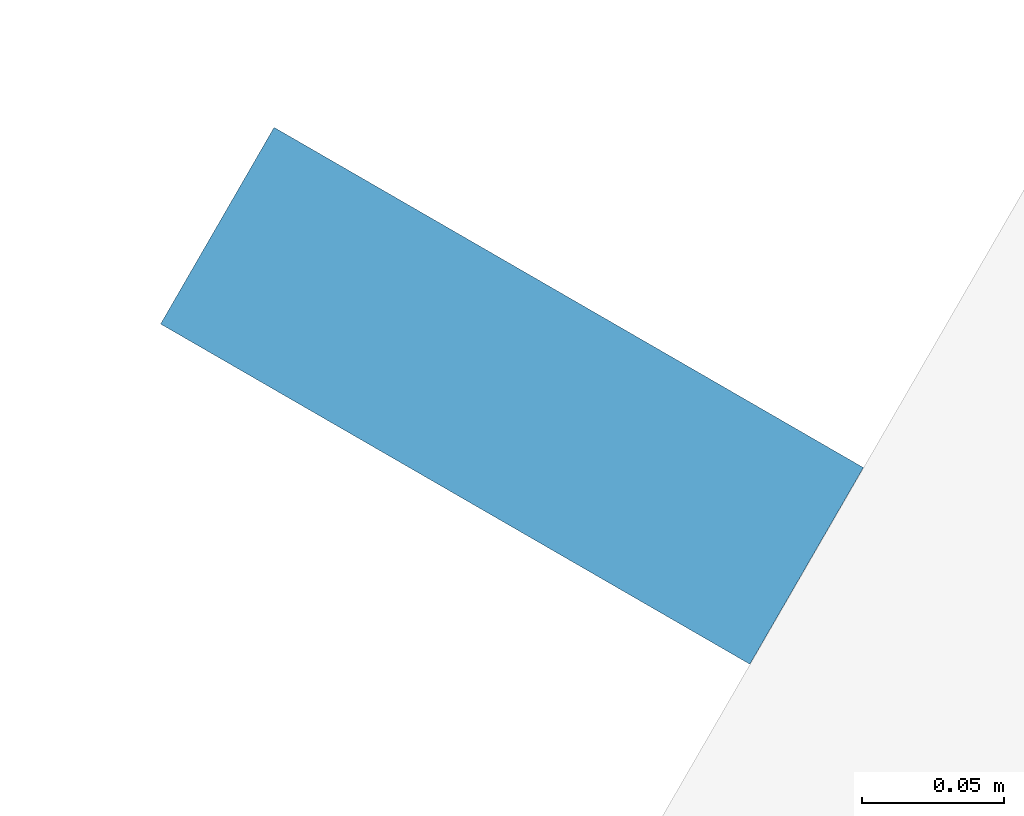
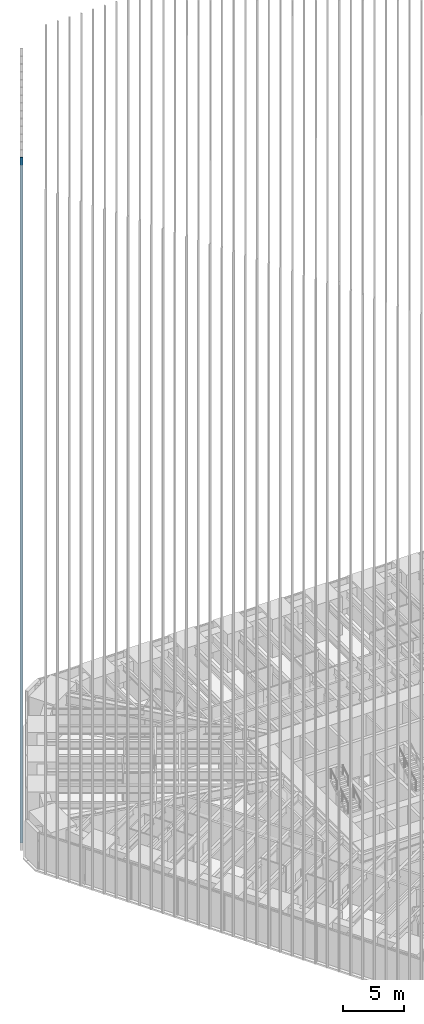
# One storey, part 137 of 256: 1 member, 1 element without a shape of its own.
"""IFC4 building model written with IfcOpenShell, lengths in metres."""

import ifcopenshell
import ifcopenshell.guid

model = None  # the IFC model being written
_history = None  # IfcOwnerHistory: only IFC2X3 demands one
_inside = {}  # id of a spatial element -> (the spatial element, [elements in it])
_under = {}  # id of a project, library or spatial element -> (it, [spatial elements below it])
_declared = {}  # id of a project -> (the project, [libraries it declares])
_typed = {}  # id of a type object -> (the type object, [elements of that type])
_made_of = {}  # id of a material, layer set ... -> (it, [elements and type objects made of it])


def new_model(schema):
    """Start an empty IFC model of exactly this schema.

    Asked for "IFC4X3", IfcOpenShell would pick the latest addendum, in which some entities
    have other attributes; the version numbers below select the first issue.
    IFC2X3 requires an IfcOwnerHistory on every rooted entity: one is made here for all.
    """
    global model, _history
    if schema == "IFC4X3":
        model = ifcopenshell.file(schema_version=(4, 3, 0, 0))
    else:
        model = ifcopenshell.file(schema=schema)
    _inside.clear()
    _under.clear()
    _declared.clear()
    _typed.clear()
    _made_of.clear()
    _history = None
    if model.schema == "IFC2X3":
        org = make("IfcOrganization", Name="unknown")
        user = make(
            "IfcPersonAndOrganization",
            ThePerson=make("IfcPerson", FamilyName="unknown"),
            TheOrganization=org,
        )
        app = make(
            "IfcApplication",
            ApplicationDeveloper=org,
            Version="unknown",
            ApplicationFullName="unknown",
            ApplicationIdentifier="unknown",
        )
        _history = make(
            "IfcOwnerHistory",
            OwningUser=user,
            OwningApplication=app,
            ChangeAction="ADDED",
            CreationDate=0,
        )
    return model


def make(cls, **values):
    """One entity of the class cls with the attributes given. An attribute that is None is left unset."""
    return model.create_entity(
        cls, **{name: value for name, value in values.items() if value is not None}
    )


def rooted(cls, **values):
    """An entity with a GlobalId (a new one), such as an element, a storey or a relation."""
    return make(cls, GlobalId=ifcopenshell.guid.new(), OwnerHistory=_history, **values)


def si_unit(unit_type, name, prefix=None):
    """IfcSIUnit, for example si_unit("LENGTHUNIT", "METRE", prefix="MILLI")."""
    return make("IfcSIUnit", UnitType=unit_type, Prefix=prefix, Name=name)


def assignment(units):
    """IfcUnitAssignment: the units of a project."""
    return None if units is None else make("IfcUnitAssignment", Units=units)


def point(xyz):
    """IfcCartesianPoint."""
    return None if xyz is None else make("IfcCartesianPoint", Coordinates=xyz)


def direction(xyz):
    """IfcDirection."""
    return None if xyz is None else make("IfcDirection", DirectionRatios=xyz)


def frame(location, z_axis=None, x_axis=None):
    """IfcAxis2Placement3D, a coordinate frame: its origin and axes. An axis left out is left unset."""
    return make(
        "IfcAxis2Placement3D",
        Location=point(location),
        Axis=direction(z_axis),
        RefDirection=direction(x_axis),
    )


def frame_2d(location, x_axis=None):
    """IfcAxis2Placement2D, a coordinate frame in the plane: its origin and x axis."""
    return make(
        "IfcAxis2Placement2D", Location=point(location), RefDirection=direction(x_axis)
    )


def origin():
    """The frame at (0, 0, 0) with its axes left unset."""
    return frame((0.0, 0.0, 0.0))


def origin_2d():
    """The frame at (0, 0) in the plane with its x axis left unset."""
    return frame_2d((0.0, 0.0))


def place(relative_to, where):
    """IfcLocalPlacement: puts the frame where relative to a parent placement (None: the world)."""
    return make(
        "IfcLocalPlacement", PlacementRelTo=relative_to, RelativePlacement=where
    )


def context(
    kind, dimensions, precision=None, world=None, true_north=None, identifier=None
):
    """IfcGeometricRepresentationContext, for example the 3D "Model" context."""
    return make(
        "IfcGeometricRepresentationContext",
        ContextIdentifier=identifier,
        ContextType=kind,
        CoordinateSpaceDimension=dimensions,
        Precision=precision,
        WorldCoordinateSystem=world,
        TrueNorth=true_north,
    )


def subcontext(parent, identifier, kind, view, scale=None):
    """IfcGeometricRepresentationSubContext, for example "Body" below "Model"."""
    return make(
        "IfcGeometricRepresentationSubContext",
        ContextIdentifier=identifier,
        ContextType=kind,
        ParentContext=parent,
        TargetScale=scale,
        TargetView=view,
    )


def project(units=None, contexts=None):
    """IfcProject with its units and contexts."""
    return rooted(
        "IfcProject",
        Name="project",
        RepresentationContexts=contexts,
        UnitsInContext=assignment(units),
    )


def spatial(cls, under=None, at=None, **own):
    """A site, building, storey or space (cls), placed at a placement, below another one or the project."""
    s = rooted(cls, ObjectPlacement=at, **own)
    if under is not None:
        _under.setdefault(under.id(), (under, []))[1].append(s)
    return s


def profile(cls, at=None, kind="AREA", **sizes):
    """A parametric profile (cls). Its sizes go by their IFC names, for example OverallWidth=200.0."""
    return make(cls, ProfileType=kind, Position=at, **sizes)


def rectangle(**sizes):
    """IfcRectangleProfileDef."""
    return profile("IfcRectangleProfileDef", **sizes)


def extrude(swept, where, along, depth):
    """IfcExtrudedAreaSolid: the profile swept, set in the frame where, extruded along a direction by depth."""
    return make(
        "IfcExtrudedAreaSolid",
        SweptArea=swept,
        Position=where,
        ExtrudedDirection=direction(along),
        Depth=depth,
    )


def shape(context_of_items, identifier, shape_type, items):
    """IfcShapeRepresentation: the items that make up one representation, for example the "Body"."""
    return make(
        "IfcShapeRepresentation",
        ContextOfItems=context_of_items,
        RepresentationIdentifier=identifier,
        RepresentationType=shape_type,
        Items=items,
    )


def material(Name=None, Category=None):
    """IfcMaterial."""
    return make("IfcMaterial", Name=Name, Category=Category)


def material_profile(
    of_material, cross_section, Name=None, Category=None, Priority=None
):
    """IfcMaterialProfile: a cross section and its material."""
    return make(
        "IfcMaterialProfile",
        Name=Name,
        Material=of_material,
        Profile=cross_section,
        Priority=Priority,
        Category=Category,
    )


def profile_set(profiles, Name=None, composite=None):
    """IfcMaterialProfileSet."""
    return make(
        "IfcMaterialProfileSet",
        Name=Name,
        MaterialProfiles=profiles,
        CompositeProfile=composite,
    )


def made_of(thing, what):
    """Note that an element or type object is made of a material, layer set ...; save() writes the relation."""
    if what is not None:
        _made_of.setdefault(what.id(), (what, []))[1].append(thing)
    return thing


def type_object(cls, material=None, **own):
    """A type object (cls), such as IfcWallType, which elements share."""
    return made_of(rooted(cls, **own), material)


def element(
    cls,
    number,
    at=None,
    inside=None,
    cuts=None,
    type_object=None,
    material=None,
    context=None,
    identifier="Body",
    shape_type=None,
    held_by="IfcProductDefinitionShape",
    body=None,
    shapes=None,
    **own,
):
    """One element of the class cls, such as IfcWall. Its Tag is "e" and its number.

    at: its placement. inside: the storey or other place that contains it. cuts: it is an
    opening in that element (IfcRelVoidsElement). A single representation is given by context,
    identifier, shape_type and body (its items); several are given by shapes. held_by: the class
    of the entity that holds the representations. save() writes the other relations.
    """
    e = rooted(cls, Tag="e%d" % number, ObjectPlacement=at, **own)
    if body is not None:
        shapes = [shape(context, identifier, shape_type, body)]
    if shapes is not None:
        e.Representation = make(held_by, Representations=shapes)
    if inside is not None:
        _inside.setdefault(inside.id(), (inside, []))[1].append(e)
    if cuts is not None:
        rooted(
            "IfcRelVoidsElement", RelatingBuildingElement=cuts, RelatedOpeningElement=e
        )
    if type_object is not None:
        _typed.setdefault(type_object.id(), (type_object, []))[1].append(e)
    return made_of(e, material)


def aggregate(whole, parts):
    """IfcRelAggregates: a whole, such as a stair, and the parts it consists of."""
    return rooted("IfcRelAggregates", RelatingObject=whole, RelatedObjects=parts)


def save(model, path):
    """Write the relations noted so far, then the file.

    IfcRelAggregates (storeys below a building ...), IfcRelContainedInSpatialStructure (elements
    in a storey), IfcRelDefinesByType, IfcRelAssociatesMaterial and IfcRelDeclares: one each for
    every whole, place, type object, material and project.
    """
    for whole, parts in _under.values():
        aggregate(whole, parts)
    for where, things in _inside.values():
        rooted(
            "IfcRelContainedInSpatialStructure",
            RelatedElements=things,
            RelatingStructure=where,
        )
    for kind, things in _typed.values():
        rooted("IfcRelDefinesByType", RelatedObjects=things, RelatingType=kind)
    for what, things in _made_of.values():
        rooted("IfcRelAssociatesMaterial", RelatedObjects=things, RelatingMaterial=what)
    for by, libraries in _declared.values():
        rooted("IfcRelDeclares", RelatingContext=by, RelatedDefinitions=libraries)
    model.write(path)


model = new_model("IFC4")

# Units and contexts
model_context = context("Model", 3, precision=1e-05, world=origin(), true_north=direction((0.0, 1.0)))
body_context = subcontext(model_context, "Body", "Model", "MODEL_VIEW")
ifc_project = project(units=[si_unit("LENGTHUNIT", "METRE"), si_unit("AREAUNIT", "SQUARE_METRE"), si_unit("VOLUMEUNIT", "CUBIC_METRE"), si_unit("PLANEANGLEUNIT", "RADIAN"), si_unit("MASSUNIT", "GRAM", prefix="KILO")], contexts=[model_context])

# Site, building, storey
site_placement = place(None, origin())
site = spatial("IfcSite", under=ifc_project, at=site_placement, CompositionType="ELEMENT")
building_placement = place(site_placement, origin())
building = spatial("IfcBuilding", under=site, at=building_placement, Name="Sandreach Pilgrim Tower", CompositionType="ELEMENT")
storey_placement = place(building_placement, frame((0.0, 0.0, 23.0)))
storey = spatial("IfcBuildingStorey", under=building, at=storey_placement, Name="L04", CompositionType="ELEMENT", Elevation=23.0)

# Curtain wall, member
ifc_material_1 = material(Name="Aluminium framed curtain wall", Category="aluminium")
curtain_wall_type = type_object("IfcCurtainWallType", Name="Hostel tower curtain wall", PredefinedType="NOTDEFINED", material=ifc_material_1)
curtain_wall_placement = place(storey_placement, origin())
curtain_wall = element("IfcCurtainWall", 1, at=curtain_wall_placement, inside=storey, type_object=curtain_wall_type, Name="CW-1 L04 NW", PredefinedType="NOTDEFINED")
ifc_material_2 = material(Name="Extruded terracotta on aluminium core", Category="masonry")
ifc_material_profile = material_profile(ifc_material_2, rectangle(XDim=0.080078125, YDim=0.239990234375, at=origin_2d()), Name="TBW 80X240")
ifc_profile_set = profile_set([ifc_material_profile], Name="Extruded terracotta on aluminium core")
member_type = type_object("IfcMemberType", Name="Terracotta baguette west", PredefinedType="USERDEFINED", material=ifc_profile_set)
member_placement = place(storey_placement, frame((-29.95361328125, 8.980712890625, 0.0), z_axis=(0.0, 0.0, 1.0), x_axis=(0.5, 0.866025403784, 0.0)))
member = element("IfcMember", 2, at=member_placement, type_object=member_type, Name="Baguette Z1 NW02", ObjectType="BAGUETTE", PredefinedType="USERDEFINED", context=body_context, shape_type="SweptSolid", body=[
    extrude(rectangle(XDim=0.080078125, YDim=0.239990234375, at=origin_2d()), origin(), (0.0, 0.0, 1.0), 68.239990234375),
])
aggregate(curtain_wall, [member])

save(model, "model.ifc")
